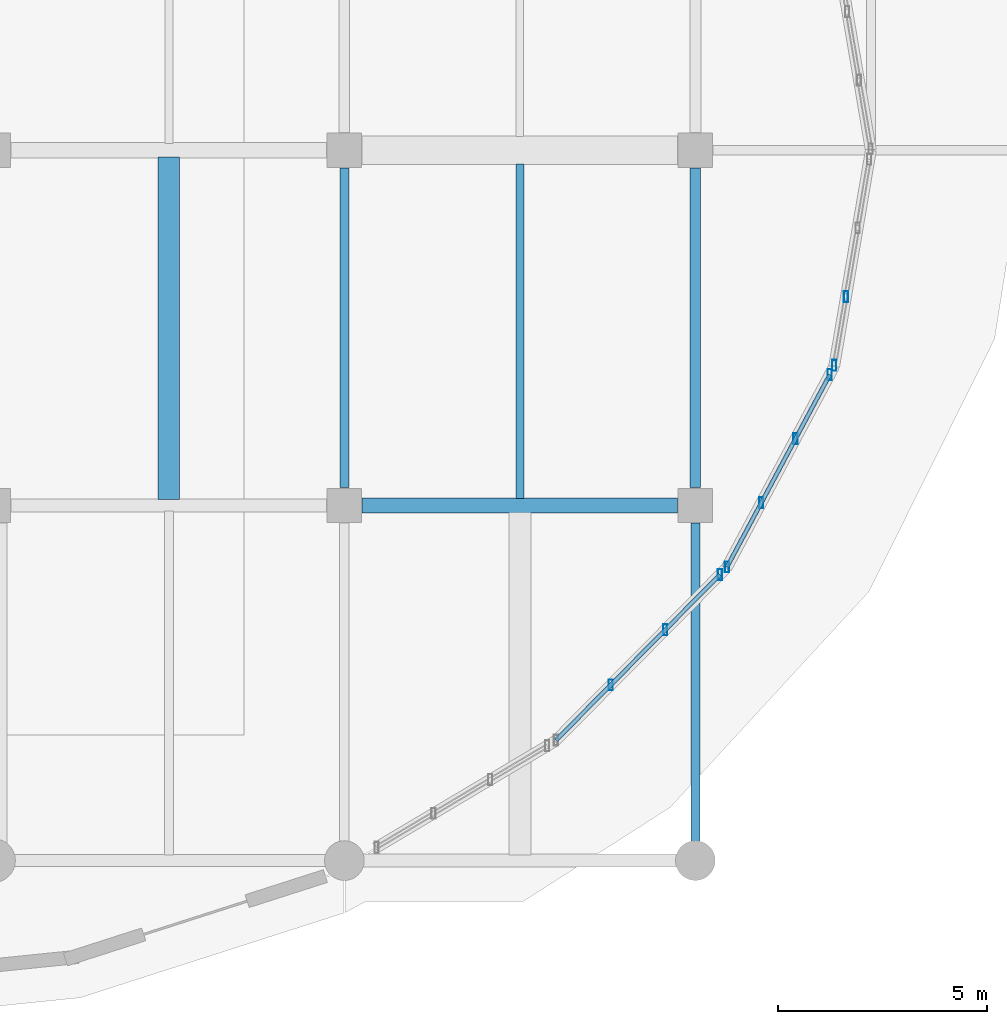
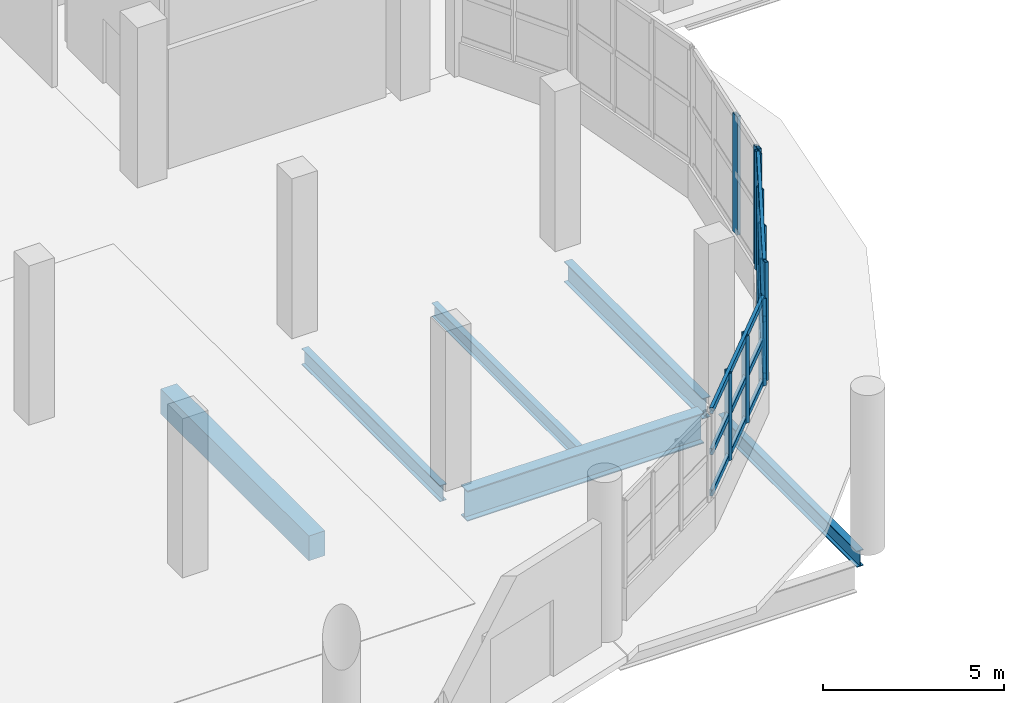
# One storey, part 14 of 107: 15 members, 6 beams, 3 elements without a shape of their own.
"""IFC4 building model written with IfcOpenShell, lengths in metres."""

from ifc_helpers import new_model, si_unit, direction, frame, origin, origin_2d, place, context, subcontext, project, spatial, rectangle, hollow_rectangle, i_section, extrude, material, material_profile, profile_set, type_object, element, aggregate, save


model = new_model("IFC4")

# Units and contexts
model_context = context("Model", 3, precision=1e-05, world=origin(), true_north=direction((0.0, 1.0)))
body_context = subcontext(model_context, "Body", "Model", "MODEL_VIEW")
ifc_project = project(units=[si_unit("LENGTHUNIT", "METRE"), si_unit("AREAUNIT", "SQUARE_METRE"), si_unit("VOLUMEUNIT", "CUBIC_METRE"), si_unit("PLANEANGLEUNIT", "RADIAN"), si_unit("MASSUNIT", "GRAM", prefix="KILO")], contexts=[model_context])

# Site, building, storey
site_placement = place(None, origin())
site = spatial("IfcSite", under=ifc_project, at=site_placement, CompositionType="ELEMENT")
building_placement = place(site_placement, origin())
building = spatial("IfcBuilding", under=site, at=building_placement, Name="Solvento Point Concert Hall", CompositionType="ELEMENT")
storey_placement = place(building_placement, origin())
storey = spatial("IfcBuildingStorey", under=building, at=storey_placement, Name="L00", CompositionType="ELEMENT", Elevation=0.0)

# Beams
ifc_material_1 = material(Name="Concrete C35/45", Category="concrete")
ifc_material_profile_1 = material_profile(ifc_material_1, rectangle(XDim=0.52001953125, YDim=0.840087890625, at=origin_2d()), Name="RC-BM-520X840")
ifc_profile_set_1 = profile_set([ifc_material_profile_1], Name="Concrete C35/45")
beam_type_1 = type_object("IfcBeamType", Name="Beam_RC_520x840", PredefinedType="BEAM", material=ifc_profile_set_1)
beam_1_placement = place(storey_placement, frame((70.199951171875, 25.638671875, -0.833984375), z_axis=(0.0, 1.0, 0.0), x_axis=(-1.0, 0.0, 0.0)))
element("IfcBeam", 1, at=beam_1_placement, inside=storey, type_object=beam_type_1, Name="Secondary floor joist B-54 L00", PredefinedType="BEAM", context=body_context, shape_type="SweptSolid", body=[
    extrude(rectangle(XDim=0.52001953125, YDim=0.840087890625, at=origin_2d()), origin(), (0.0, 0.0, 1.0), 8.19580078125),
])
ifc_material_2 = material(Name="Structural Steel ASTM A992 Grade 50", Category="steel")
ifc_material_profile_2 = material_profile(ifc_material_2, i_section(OverallWidth=0.214111328125, OverallDepth=0.549072265625, WebThickness=0.0146484375, FlangeThickness=0.023681640625, at=origin_2d()), Name="W21X93")
ifc_profile_set_2 = profile_set([ifc_material_profile_2], Name="Structural Steel ASTM A992 Grade 50")
beam_type_2 = type_object("IfcBeamType", Name="Beam_W21X93", PredefinedType="BEAM", material=ifc_profile_set_2)
for number, where, z_axis, x_axis, name in (
    (2, (74.39990234375, 25.924072265625, -0.6884765625), (0.0, 1.0, 0.0), (-1.0, 0.0, 0.0), "Primary girder B-48 L00"),
    (3, (82.800048828125, 17.424072265625, -0.6884765625), (0.0, 1.0, 0.0), (-1.0, 0.0, 0.0), "Primary girder B-48 L00"),
):
    element("IfcBeam", number, at=place(storey_placement, frame(where, z_axis=z_axis, x_axis=x_axis)), inside=storey, type_object=beam_type_2, Name=name, PredefinedType="BEAM", context=body_context, shape_type="SweptSolid", body=[
        extrude(i_section(OverallWidth=0.214111328125, OverallDepth=0.549072265625, WebThickness=0.0146484375, FlangeThickness=0.023681640625, at=origin_2d()), origin(), (0.0, 0.0, 1.0), 7.65185546875),
    ])
ifc_material_3 = material(Name="Structural Steel ASTM A992 Grade 50", Category="steel")
ifc_material_profile_3 = material_profile(ifc_material_3, i_section(OverallWidth=0.256103515625, OverallDepth=0.693115234375, WebThickness=0.014404296875, FlangeThickness=0.023681640625, at=origin_2d()), Name="W27X114")
ifc_profile_set_3 = profile_set([ifc_material_profile_3], Name="Structural Steel ASTM A992 Grade 50")
beam_type_3 = type_object("IfcBeamType", Name="Girder_W27X114", PredefinedType="USERDEFINED", material=ifc_profile_set_3)
beam_2_placement = place(storey_placement, frame((82.800048828125, 25.924072265625, -0.760498046875), z_axis=(0.0, 1.0, 0.0), x_axis=(-1.0, 0.0, 0.0)))
element("IfcBeam", 4, at=beam_2_placement, inside=storey, type_object=beam_type_3, Name="Primary girder B-23 L00", ObjectType="GIRDER", PredefinedType="USERDEFINED", context=body_context, shape_type="SweptSolid", body=[
    extrude(i_section(OverallWidth=0.256103515625, OverallDepth=0.693115234375, WebThickness=0.014404296875, FlangeThickness=0.023681640625, at=origin_2d()), origin(), (0.0, 0.0, 1.0), 7.65185546875),
])
ifc_material_4 = material(Name="Structural Steel ASTM A992 Grade 50", Category="steel")
ifc_material_profile_4 = material_profile(ifc_material_4, i_section(OverallWidth=0.361083984375, OverallDepth=1.02587890625, WebThickness=0.01904296875, FlangeThickness=0.0361328125, at=origin_2d()), Name="W40X249")
ifc_profile_set_4 = profile_set([ifc_material_profile_4], Name="Structural Steel ASTM A992 Grade 50")
beam_type_4 = type_object("IfcBeamType", Name="Girder_W40X249", PredefinedType="USERDEFINED", material=ifc_profile_set_4)
beam_3_placement = place(storey_placement, frame((74.823974609375, 25.5, -0.927001953125), z_axis=(1.0, 0.0, 0.0), x_axis=(0.0, 1.0, 0.0)))
element("IfcBeam", 5, at=beam_3_placement, inside=storey, type_object=beam_type_4, Name="Primary girder B-29 L00", ObjectType="GIRDER", PredefinedType="USERDEFINED", context=body_context, shape_type="SweptSolid", body=[
    extrude(i_section(OverallWidth=0.361083984375, OverallDepth=1.02587890625, WebThickness=0.01904296875, FlangeThickness=0.0361328125, at=origin_2d()), origin(), (0.0, 0.0, 1.0), 7.552001953125),
])
ifc_material_5 = material(Name="Structural Steel ASTM A992 Grade 50", Category="steel")
ifc_material_profile_5 = material_profile(ifc_material_5, i_section(OverallWidth=0.1904296875, OverallDepth=0.45703125, WebThickness=0.009033203125, FlangeThickness=0.014404296875, at=origin_2d()), Name="W18X50")
ifc_profile_set_5 = profile_set([ifc_material_profile_5], Name="Structural Steel ASTM A992 Grade 50")
beam_type_5 = type_object("IfcBeamType", Name="Joist_W18X50", PredefinedType="JOIST", material=ifc_profile_set_5)
beam_4_placement = place(storey_placement, frame((78.60009765625, 25.66552734375, -0.642578125), z_axis=(0.0, 1.0, 0.0), x_axis=(-1.0, 0.0, 0.0)))
element("IfcBeam", 6, at=beam_4_placement, inside=storey, type_object=beam_type_5, Name="Secondary floor joist B-66 L00", PredefinedType="JOIST", context=body_context, shape_type="SweptSolid", body=[
    extrude(i_section(OverallWidth=0.1904296875, OverallDepth=0.45703125, WebThickness=0.009033203125, FlangeThickness=0.014404296875, at=origin_2d()), origin(), (0.0, 0.0, 1.0), 8.009521484375),
])

# Curtain wall, members
ifc_material_6 = material(Name="Anodized Bronze Aluminium", Category="aluminium")
curtain_wall_type = type_object("IfcCurtainWallType", Name="CurtainWall_FoyerL00", PredefinedType="USERDEFINED", material=ifc_material_6)
curtain_wall_1_placement = place(storey_placement, origin())
curtain_wall_1 = element("IfcCurtainWall", 7, at=curtain_wall_1_placement, inside=storey, type_object=curtain_wall_type, Name="Unitised curtain wall CW-29 UCW-L00-016", ObjectType="UNITISED CURTAIN WALL", PredefinedType="USERDEFINED")
ifc_material_7 = material(Name="Anodized Bronze Aluminium", Category="aluminium")
ifc_material_profile_6 = material_profile(ifc_material_7, hollow_rectangle(XDim=0.10009765625, YDim=0.260009765625, WallThickness=0.0048828125, at=origin_2d()), Name="CW-MUL-100X260")
ifc_profile_set_6 = profile_set([ifc_material_profile_6], Name="Anodized Bronze Aluminium")
member_type_1 = type_object("IfcMemberType", Name="Mullion_100x260", PredefinedType="MULLION", material=ifc_profile_set_6)
member_1_placement = place(storey_placement, frame((86.405029296875, 30.49658203125, 1.1201171875), z_axis=(0.0, 0.0, 1.0), x_axis=(1.0, 0.0, 0.0)))
member_1 = element("IfcMember", 8, at=member_1_placement, type_object=member_type_1, Name="Curtain wall mullion ML-03", PredefinedType="MULLION", context=body_context, shape_type="SweptSolid", body=[
    extrude(hollow_rectangle(XDim=0.10009765625, YDim=0.260009765625, WallThickness=0.0048828125, at=origin_2d()), origin(), (0.0, 0.0, 1.0), 4.0),
])
member_2_placement = place(storey_placement, frame((86.1259765625, 28.853271484375, 1.1201171875), z_axis=(0.0, 0.0, 1.0), x_axis=(1.0, 0.0, 0.0)))
member_2 = element("IfcMember", 9, at=member_2_placement, type_object=member_type_1, Name="Curtain wall mullion ML-03", PredefinedType="MULLION", context=body_context, shape_type="SweptSolid", body=[
    extrude(hollow_rectangle(XDim=0.10009765625, YDim=0.260009765625, WallThickness=0.0048828125, at=origin_2d()), origin(), (0.0, 0.0, 1.0), 4.0),
])
aggregate(curtain_wall_1, [member_1, member_2])

curtain_wall_2_placement = place(storey_placement, origin())
curtain_wall_2 = element("IfcCurtainWall", 10, at=curtain_wall_2_placement, inside=storey, type_object=curtain_wall_type, Name="Unitised curtain wall CW-29 UCW-L00-017", ObjectType="UNITISED CURTAIN WALL", PredefinedType="USERDEFINED")
member_3_placement = place(storey_placement, frame((86.01708984375, 28.629638671875, 1.1201171875), z_axis=(0.0, 0.0, 1.0), x_axis=(1.0, 0.0, 0.0)))
member_3 = element("IfcMember", 11, at=member_3_placement, type_object=member_type_1, Name="Curtain wall mullion ML-03", PredefinedType="MULLION", context=body_context, shape_type="SweptSolid", body=[
    extrude(hollow_rectangle(XDim=0.10009765625, YDim=0.260009765625, WallThickness=0.0048828125, at=origin_2d()), origin(), (0.0, 0.0, 1.0), 4.0),
])
member_4_placement = place(storey_placement, frame((85.197509765625, 27.09521484375, 1.1201171875), z_axis=(0.0, 0.0, 1.0), x_axis=(1.0, 0.0, 0.0)))
member_4 = element("IfcMember", 12, at=member_4_placement, type_object=member_type_1, Name="Curtain wall mullion ML-03", PredefinedType="MULLION", context=body_context, shape_type="SweptSolid", body=[
    extrude(hollow_rectangle(XDim=0.10009765625, YDim=0.260009765625, WallThickness=0.0048828125, at=origin_2d()), origin(), (0.0, 0.0, 1.0), 4.0),
])
member_5_placement = place(storey_placement, frame((84.37744140625, 25.560791015625, 1.1201171875), z_axis=(0.0, 0.0, 1.0), x_axis=(1.0, 0.0, 0.0)))
member_5 = element("IfcMember", 13, at=member_5_placement, type_object=member_type_1, Name="Curtain wall mullion ML-03", PredefinedType="MULLION", context=body_context, shape_type="SweptSolid", body=[
    extrude(hollow_rectangle(XDim=0.10009765625, YDim=0.260009765625, WallThickness=0.0048828125, at=origin_2d()), origin(), (0.0, 0.0, 1.0), 4.0),
])
member_6_placement = place(storey_placement, frame((83.5576171875, 24.026611328125, 1.1201171875), z_axis=(0.0, 0.0, 1.0), x_axis=(1.0, 0.0, 0.0)))
member_6 = element("IfcMember", 14, at=member_6_placement, type_object=member_type_1, Name="Curtain wall mullion ML-03", PredefinedType="MULLION", context=body_context, shape_type="SweptSolid", body=[
    extrude(hollow_rectangle(XDim=0.10009765625, YDim=0.260009765625, WallThickness=0.0048828125, at=origin_2d()), origin(), (0.0, 0.0, 1.0), 4.0),
])

curtain_wall_3_placement = place(storey_placement, origin())
curtain_wall_3 = element("IfcCurtainWall", 15, at=curtain_wall_3_placement, inside=storey, type_object=curtain_wall_type, Name="Unitised curtain wall CW-29 UCW-L00-018", ObjectType="UNITISED CURTAIN WALL", PredefinedType="USERDEFINED")
member_7_placement = place(storey_placement, frame((83.388671875, 23.843505859375, 1.1201171875), z_axis=(0.0, 0.0, 1.0), x_axis=(1.0, 0.0, 0.0)))
member_7 = element("IfcMember", 16, at=member_7_placement, type_object=member_type_1, Name="Curtain wall mullion ML-03", PredefinedType="MULLION", context=body_context, shape_type="SweptSolid", body=[
    extrude(hollow_rectangle(XDim=0.10009765625, YDim=0.260009765625, WallThickness=0.0048828125, at=origin_2d()), origin(), (0.0, 0.0, 1.0), 2.94189453125),
])
member_8_placement = place(storey_placement, frame((82.080810546875, 22.522216796875, 1.1201171875), z_axis=(0.0, 0.0, 1.0), x_axis=(1.0, 0.0, 0.0)))
member_8 = element("IfcMember", 17, at=member_8_placement, type_object=member_type_1, Name="Curtain wall mullion ML-03", PredefinedType="MULLION", context=body_context, shape_type="SweptSolid", body=[
    extrude(hollow_rectangle(XDim=0.10009765625, YDim=0.260009765625, WallThickness=0.0048828125, at=origin_2d()), origin(), (0.0, 0.0, 1.0), 2.94189453125),
])
member_9_placement = place(storey_placement, frame((80.772705078125, 21.20068359375, 1.1201171875), z_axis=(0.0, 0.0, 1.0), x_axis=(1.0, 0.0, 0.0)))
member_9 = element("IfcMember", 18, at=member_9_placement, type_object=member_type_1, Name="Curtain wall mullion ML-03", PredefinedType="MULLION", context=body_context, shape_type="SweptSolid", body=[
    extrude(hollow_rectangle(XDim=0.10009765625, YDim=0.260009765625, WallThickness=0.0048828125, at=origin_2d()), origin(), (0.0, 0.0, 1.0), 2.94189453125),
])

# Member
ifc_material_8 = material(Name="Anodized Bronze Aluminium", Category="aluminium")
ifc_material_profile_7 = material_profile(ifc_material_8, hollow_rectangle(XDim=0.10009765625, YDim=0.2099609375, WallThickness=0.0048828125, at=origin_2d()), Name="CW-TRN-100X210")
ifc_profile_set_7 = profile_set([ifc_material_profile_7], Name="Anodized Bronze Aluminium")
member_type_2 = type_object("IfcMemberType", Name="Transom_100x210", PredefinedType="USERDEFINED", material=ifc_profile_set_7)
member_10_placement = place(storey_placement, frame((86.01708984375, 28.629638671875, 1.199951171875), z_axis=(-0.471263091256, -0.881992686375, 0.0), x_axis=(0.881992686375, -0.471263091256, 0.0)))
member_10 = element("IfcMember", 19, at=member_10_placement, type_object=member_type_2, Name="Curtain wall transom TR-03", ObjectType="TRANSOM", PredefinedType="USERDEFINED", context=body_context, shape_type="SweptSolid", body=[
    extrude(hollow_rectangle(XDim=0.10009765625, YDim=0.2099609375, WallThickness=0.0048828125, at=origin_2d()), origin(), (0.0, 0.0, 1.0), 5.218994140625),
])

member_11_placement = place(storey_placement, frame((86.01708984375, 28.629638671875, 3.1201171875), z_axis=(-0.471263091256, -0.881992686375, 0.0), x_axis=(0.881992686375, -0.471263091256, 0.0)))
member_11 = element("IfcMember", 20, at=member_11_placement, type_object=member_type_2, Name="Curtain wall transom TR-03", ObjectType="TRANSOM", PredefinedType="USERDEFINED", context=body_context, shape_type="SweptSolid", body=[
    extrude(hollow_rectangle(XDim=0.10009765625, YDim=0.2099609375, WallThickness=0.0048828125, at=origin_2d()), origin(), (0.0, 0.0, 1.0), 5.218994140625),
])

member_12_placement = place(storey_placement, frame((86.01708984375, 28.629638671875, 5.0400390625), z_axis=(-0.471263091256, -0.881992686375, 0.0), x_axis=(0.881992686375, -0.471263091256, 0.0)))
member_12 = element("IfcMember", 21, at=member_12_placement, type_object=member_type_2, Name="Curtain wall transom TR-03", ObjectType="TRANSOM", PredefinedType="USERDEFINED", context=body_context, shape_type="SweptSolid", body=[
    extrude(hollow_rectangle(XDim=0.10009765625, YDim=0.2099609375, WallThickness=0.0048828125, at=origin_2d()), origin(), (0.0, 0.0, 1.0), 5.218994140625),
])

aggregate(curtain_wall_2, [member_3, member_4, member_5, member_6, member_10, member_11, member_12])

member_13_placement = place(storey_placement, frame((83.388671875, 23.843505859375, 1.199951171875), z_axis=(-0.703486682979, -0.71070844013, 0.0), x_axis=(0.71070844013, -0.703486682979, 0.0)))
member_13 = element("IfcMember", 22, at=member_13_placement, type_object=member_type_2, Name="Curtain wall transom TR-03", ObjectType="TRANSOM", PredefinedType="USERDEFINED", context=body_context, shape_type="SweptSolid", body=[
    extrude(hollow_rectangle(XDim=0.10009765625, YDim=0.2099609375, WallThickness=0.0048828125, at=origin_2d()), origin(), (0.0, 0.0, 1.0), 5.578125),
])

member_14_placement = place(storey_placement, frame((83.388671875, 23.843505859375, 2.591064453125), z_axis=(-0.703486682979, -0.71070844013, 0.0), x_axis=(0.71070844013, -0.703486682979, 0.0)))
member_14 = element("IfcMember", 23, at=member_14_placement, type_object=member_type_2, Name="Curtain wall transom TR-03", ObjectType="TRANSOM", PredefinedType="USERDEFINED", context=body_context, shape_type="SweptSolid", body=[
    extrude(hollow_rectangle(XDim=0.10009765625, YDim=0.2099609375, WallThickness=0.0048828125, at=origin_2d()), origin(), (0.0, 0.0, 1.0), 5.578125),
])

member_15_placement = place(storey_placement, frame((83.388671875, 23.843505859375, 3.98193359375), z_axis=(-0.703486682979, -0.71070844013, 0.0), x_axis=(0.71070844013, -0.703486682979, 0.0)))
member_15 = element("IfcMember", 24, at=member_15_placement, type_object=member_type_2, Name="Curtain wall transom TR-03", ObjectType="TRANSOM", PredefinedType="USERDEFINED", context=body_context, shape_type="SweptSolid", body=[
    extrude(hollow_rectangle(XDim=0.10009765625, YDim=0.2099609375, WallThickness=0.0048828125, at=origin_2d()), origin(), (0.0, 0.0, 1.0), 5.578125),
])

aggregate(curtain_wall_3, [member_7, member_8, member_9, member_13, member_14, member_15])

save(model, "model.ifc")
